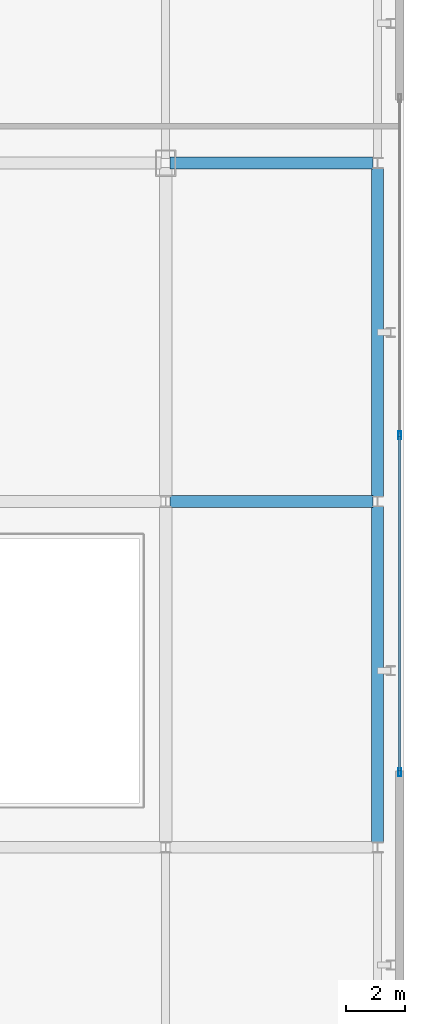
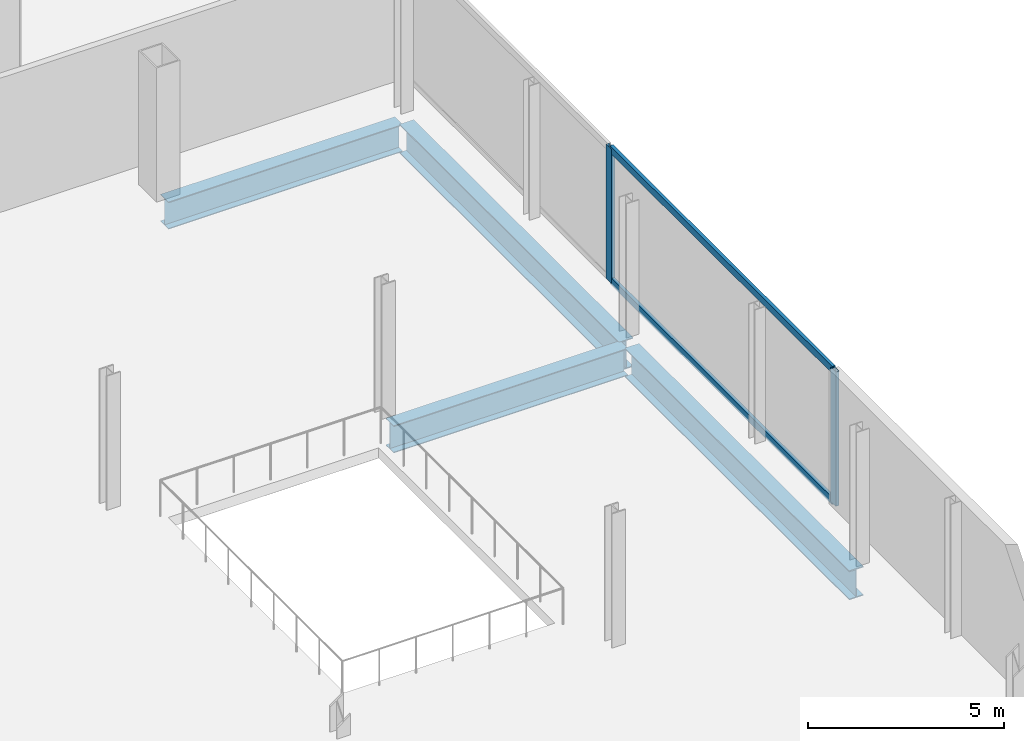
# One storey, part 16 of 26: 4 beams, 4 members, 1 element without a shape of its own.
"""IFC4 building model written with IfcOpenShell, lengths in metres."""

from ifc_helpers import new_model, si_unit, direction, frame, origin, origin_2d, place, context, subcontext, project, spatial, hollow_rectangle, i_section, extrude, source, transform, mapped, material, layer, layer_set, material_profile, profile_set, type_object, element, aggregate, save


model = new_model("IFC4")

# Units and contexts
model_context = context("Model", 3, precision=1e-05, world=origin(), true_north=direction((0.0, 1.0)))
body_context = subcontext(model_context, "Body", "Model", "MODEL_VIEW")
ifc_project = project(units=[si_unit("LENGTHUNIT", "METRE"), si_unit("AREAUNIT", "SQUARE_METRE"), si_unit("VOLUMEUNIT", "CUBIC_METRE"), si_unit("PLANEANGLEUNIT", "RADIAN"), si_unit("MASSUNIT", "GRAM", prefix="KILO")], contexts=[model_context])

# Site, building, storey
site_placement = place(None, origin())
site = spatial("IfcSite", under=ifc_project, at=site_placement, CompositionType="ELEMENT")
building_placement = place(site_placement, origin())
building = spatial("IfcBuilding", under=site, at=building_placement, Name="Kolveth Station Tower", CompositionType="ELEMENT")
storey_placement = place(building_placement, frame((0.0, 0.0, 9.0)))
storey = spatial("IfcBuildingStorey", under=building, at=storey_placement, Name="L02", CompositionType="ELEMENT", Elevation=9.0)

# Beams
ifc_material_1 = material(Name="Steel S355", Category="steel")
ifc_material_profile_1 = material_profile(ifc_material_1, i_section(OverallWidth=0.40087890625, OverallDepth=0.85107421875, WebThickness=0.01611328125, FlangeThickness=0.025390625, at=origin_2d()), Name="W840x226")
ifc_profile_set_1 = profile_set([ifc_material_profile_1], Name="Steel S355")
beam_type_1 = type_object("IfcBeamType", Name="Beam_B2", PredefinedType="BEAM", material=ifc_profile_set_1)
shared_shape_1 = source(origin(), body_context, "Body", "SweptSolid", [
    extrude(i_section(OverallWidth=0.40087890625, OverallDepth=0.85107421875, WebThickness=0.01611328125, FlangeThickness=0.025390625, at=origin_2d()), origin(), (0.0, 0.0, 1.0), 6.900146484375),
])
for number, where, z_axis, x_axis, name in (
    (1, (63.64990234375, 17.25, -0.74560546875), (1.0, 0.0, 0.0), (0.0, 1.0, 0.0), "L02 Station Portal Girder SBM-L02-EW-4-3"),
    (2, (63.64990234375, 28.75, -0.74560546875), (1.0, 0.0, 0.0), (0.0, 1.0, 0.0), "L02 Station Portal Girder SBM-L02-EW-5-3"),
):
    element("IfcBeam", number, at=place(storey_placement, frame(where, z_axis=z_axis, x_axis=x_axis)), inside=storey, type_object=beam_type_1, Name=name, PredefinedType="BEAM", context=body_context, shape_type="MappedRepresentation", body=[
        mapped(shared_shape_1, transform((0.0, 0.0, 0.0), x_axis=(1.0, 0.0, 0.0), y_axis=(0.0, 1.0, 0.0), z_axis=(0.0, 0.0, 1.0), scale=1.0)),
    ])
ifc_material_profile_2 = material_profile(ifc_material_1, i_section(OverallWidth=0.41796875, OverallDepth=0.912109375, WebThickness=0.019287109375, FlangeThickness=0.031982421875, at=origin_2d()), Name="W920x342")
ifc_profile_set_2 = profile_set([ifc_material_profile_2], Name="Steel S355")
beam_type_2 = type_object("IfcBeamType", Name="Beam_B1", PredefinedType="BEAM", material=ifc_profile_set_2)
shared_shape_2 = source(origin(), body_context, "Body", "SweptSolid", [
    extrude(i_section(OverallWidth=0.41796875, OverallDepth=0.912109375, WebThickness=0.019287109375, FlangeThickness=0.031982421875, at=origin_2d()), origin(), (0.0, 0.0, 1.0), 11.4501953125),
])
beam_1_placement = place(storey_placement, frame((70.699951171875, 5.64990234375, -0.77587890625), z_axis=(0.0, 1.0, 0.0), x_axis=(-1.0, 0.0, 0.0)))
element("IfcBeam", 3, at=beam_1_placement, inside=storey, type_object=beam_type_2, Name="L02 Station Spine Girder SBM-L02-NS-4-3", PredefinedType="BEAM", context=body_context, shape_type="MappedRepresentation", body=[
    mapped(shared_shape_2, transform((0.0, 0.0, 0.0), x_axis=(1.0, 0.0, 0.0), y_axis=(0.0, 1.0, 0.0), z_axis=(0.0, 0.0, 1.0), scale=1.0)),
])
shared_shape_3 = source(origin(), body_context, "Body", "SweptSolid", [
    extrude(i_section(OverallWidth=0.41796875, OverallDepth=0.912109375, WebThickness=0.019287109375, FlangeThickness=0.031982421875, at=origin_2d()), origin(), (0.0, 0.0, 1.0), 11.2001953125),
])
beam_2_placement = place(storey_placement, frame((70.699951171875, 17.39990234375, -0.77587890625), z_axis=(0.0, 1.0, 0.0), x_axis=(-1.0, 0.0, 0.0)))
element("IfcBeam", 4, at=beam_2_placement, inside=storey, type_object=beam_type_2, Name="L02 Station Spine Girder SBM-L02-NS-4-4", PredefinedType="BEAM", context=body_context, shape_type="MappedRepresentation", body=[
    mapped(shared_shape_3, transform((0.0, 0.0, 0.0), x_axis=(1.0, 0.0, 0.0), y_axis=(0.0, 1.0, 0.0), z_axis=(0.0, 0.0, 1.0), scale=1.0)),
])

# Curtain wall, members
ifc_material_2 = material(Name="Black anodized aluminium 6063-T6 and clear station glass", Category="aluminium")
ifc_layer = layer(ifc_material_2, 0.239990234375)
ifc_layer_set = layer_set([ifc_layer], Name="Black anodized aluminium 6063-T6 and clear station glass")
curtain_wall_type = type_object("IfcCurtainWallType", Name="CurtainWall_CW-ST", PredefinedType="NOTDEFINED", material=ifc_layer_set)
curtain_wall_placement = place(storey_placement, origin())
curtain_wall = element("IfcCurtainWall", 5, at=curtain_wall_placement, inside=storey, type_object=curtain_wall_type, Name="L02 Station East Main Hall Curtain Wall", PredefinedType="NOTDEFINED")
ifc_material_3 = material(Name="Black anodized aluminium 6063-T6", Category="aluminium")
ifc_material_profile_3 = material_profile(ifc_material_3, hollow_rectangle(XDim=0.10009765625, YDim=0.280029296875, WallThickness=0.0048828125, at=origin_2d()), Name="ALU-100x280x5")
ifc_profile_set_3 = profile_set([ifc_material_profile_3], Name="Black anodized aluminium 6063-T6")
member_type_1 = type_object("IfcMemberType", Name="Mullion_ML-ST", PredefinedType="MULLION", material=ifc_profile_set_3)
shared_shape_4 = source(origin(), body_context, "Body", "SweptSolid", [
    extrude(hollow_rectangle(XDim=0.10009765625, YDim=0.280029296875, WallThickness=0.0048828125, at=origin_2d()), origin(), (0.0, 0.0, 1.0), 4.179931640625),
])
member_1_placement = place(storey_placement, frame((71.449951171875, 8.050048828125, 0.0), z_axis=(0.0, 0.0, 1.0), x_axis=(-1.0, 0.0, 0.0)))
member_1 = element("IfcMember", 6, at=member_1_placement, type_object=member_type_1, Name="CW-ST mullion 1", PredefinedType="MULLION", context=body_context, shape_type="MappedRepresentation", body=[
    mapped(shared_shape_4, transform((0.0, 0.0, 0.0), x_axis=(1.0, 0.0, 0.0), y_axis=(0.0, 1.0, 0.0), z_axis=(0.0, 0.0, 1.0), scale=1.0)),
])
member_2_placement = place(storey_placement, frame((71.449951171875, 19.5, 0.0), z_axis=(0.0, 0.0, 1.0), x_axis=(-1.0, 0.0, 0.0)))
member_2 = element("IfcMember", 7, at=member_2_placement, type_object=member_type_1, Name="CW-ST mullion 2", PredefinedType="MULLION", context=body_context, shape_type="MappedRepresentation", body=[
    mapped(shared_shape_4, transform((0.0, 0.0, 0.0), x_axis=(1.0, 0.0, 0.0), y_axis=(0.0, 1.0, 0.0), z_axis=(0.0, 0.0, 1.0), scale=1.0)),
])
ifc_material_profile_4 = material_profile(ifc_material_3, hollow_rectangle(XDim=0.094970703125, YDim=0.219970703125, WallThickness=0.0048828125, at=origin_2d()), Name="ALU-95x220x5")
ifc_profile_set_4 = profile_set([ifc_material_profile_4], Name="Black anodized aluminium 6063-T6")
member_type_2 = type_object("IfcMemberType", Name="Transom_TR-ST", PredefinedType="USERDEFINED", material=ifc_profile_set_4)
shared_shape_5 = source(origin(), body_context, "Body", "SweptSolid", [
    extrude(hollow_rectangle(XDim=0.094970703125, YDim=0.219970703125, WallThickness=0.0048828125, at=origin_2d()), origin(), (0.0, 0.0, 1.0), 11.349853515625),
])
member_3_placement = place(storey_placement, frame((71.449951171875, 8.10009765625, 0.047607421875), z_axis=(0.0, 1.0, 0.0), x_axis=(-1.0, 0.0, 0.0)))
member_3 = element("IfcMember", 8, at=member_3_placement, type_object=member_type_2, Name="CW-ST transom 1.1", ObjectType="TRANSOM", PredefinedType="USERDEFINED", context=body_context, shape_type="MappedRepresentation", body=[
    mapped(shared_shape_5, transform((0.0, 0.0, 0.0), x_axis=(1.0, 0.0, 0.0), y_axis=(0.0, 1.0, 0.0), z_axis=(0.0, 0.0, 1.0), scale=1.0)),
])
member_4_placement = place(storey_placement, frame((71.449951171875, 8.10009765625, 4.132568359375), z_axis=(0.0, 1.0, 0.0), x_axis=(-1.0, 0.0, 0.0)))
member_4 = element("IfcMember", 9, at=member_4_placement, type_object=member_type_2, Name="CW-ST transom 1.2", ObjectType="TRANSOM", PredefinedType="USERDEFINED", context=body_context, shape_type="MappedRepresentation", body=[
    mapped(shared_shape_5, transform((0.0, 0.0, 0.0), x_axis=(1.0, 0.0, 0.0), y_axis=(0.0, 1.0, 0.0), z_axis=(0.0, 0.0, 1.0), scale=1.0)),
])
aggregate(curtain_wall, [member_1, member_2, member_3, member_4])

save(model, "model.ifc")
